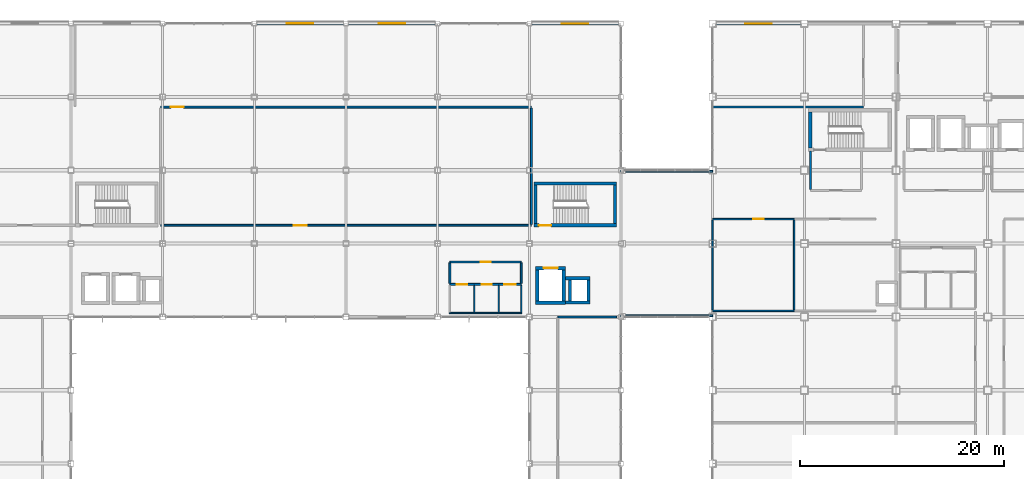
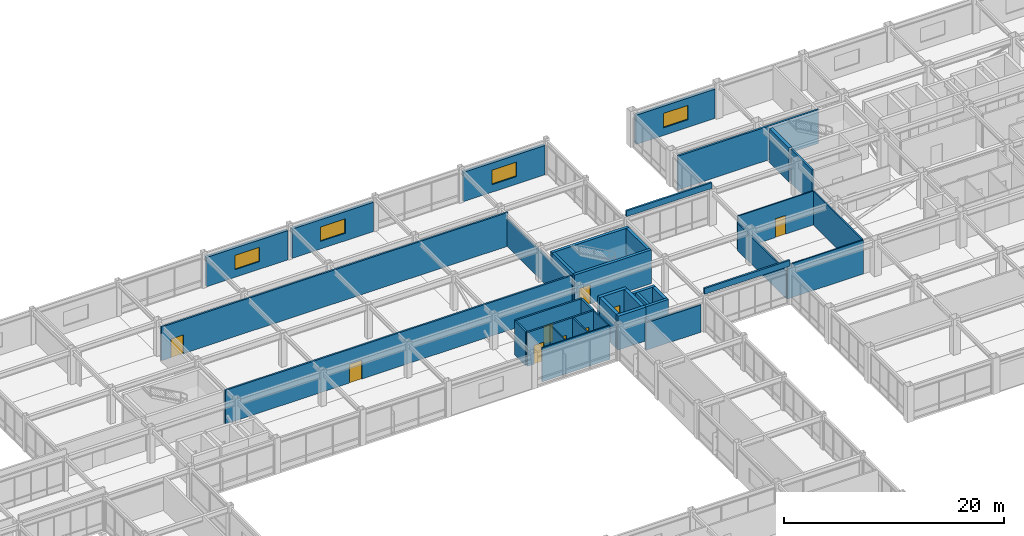
# One storey, part 103 of 122: 37 walls, 9 doors, 4 windows, 13 openings.
"""IFC4 building model written with IfcOpenShell, lengths in metres."""

import ifcopenshell
import ifcopenshell.guid

model = None  # the IFC model being written
_history = None  # IfcOwnerHistory: only IFC2X3 demands one
_inside = {}  # id of a spatial element -> (the spatial element, [elements in it])
_under = {}  # id of a project, library or spatial element -> (it, [spatial elements below it])
_declared = {}  # id of a project -> (the project, [libraries it declares])
_typed = {}  # id of a type object -> (the type object, [elements of that type])
_made_of = {}  # id of a material, layer set ... -> (it, [elements and type objects made of it])


def new_model(schema):
    """Start an empty IFC model of exactly this schema.

    Asked for "IFC4X3", IfcOpenShell would pick the latest addendum, in which some entities
    have other attributes; the version numbers below select the first issue.
    IFC2X3 requires an IfcOwnerHistory on every rooted entity: one is made here for all.
    """
    global model, _history
    if schema == "IFC4X3":
        model = ifcopenshell.file(schema_version=(4, 3, 0, 0))
    else:
        model = ifcopenshell.file(schema=schema)
    _inside.clear()
    _under.clear()
    _declared.clear()
    _typed.clear()
    _made_of.clear()
    _history = None
    if model.schema == "IFC2X3":
        org = make("IfcOrganization", Name="unknown")
        user = make(
            "IfcPersonAndOrganization",
            ThePerson=make("IfcPerson", FamilyName="unknown"),
            TheOrganization=org,
        )
        app = make(
            "IfcApplication",
            ApplicationDeveloper=org,
            Version="unknown",
            ApplicationFullName="unknown",
            ApplicationIdentifier="unknown",
        )
        _history = make(
            "IfcOwnerHistory",
            OwningUser=user,
            OwningApplication=app,
            ChangeAction="ADDED",
            CreationDate=0,
        )
    return model


def make(cls, **values):
    """One entity of the class cls with the attributes given. An attribute that is None is left unset."""
    return model.create_entity(
        cls, **{name: value for name, value in values.items() if value is not None}
    )


def rooted(cls, **values):
    """An entity with a GlobalId (a new one), such as an element, a storey or a relation."""
    return make(cls, GlobalId=ifcopenshell.guid.new(), OwnerHistory=_history, **values)


def si_unit(unit_type, name, prefix=None):
    """IfcSIUnit, for example si_unit("LENGTHUNIT", "METRE", prefix="MILLI")."""
    return make("IfcSIUnit", UnitType=unit_type, Prefix=prefix, Name=name)


def assignment(units):
    """IfcUnitAssignment: the units of a project."""
    return None if units is None else make("IfcUnitAssignment", Units=units)


def point(xyz):
    """IfcCartesianPoint."""
    return None if xyz is None else make("IfcCartesianPoint", Coordinates=xyz)


def direction(xyz):
    """IfcDirection."""
    return None if xyz is None else make("IfcDirection", DirectionRatios=xyz)


def frame(location, z_axis=None, x_axis=None):
    """IfcAxis2Placement3D, a coordinate frame: its origin and axes. An axis left out is left unset."""
    return make(
        "IfcAxis2Placement3D",
        Location=point(location),
        Axis=direction(z_axis),
        RefDirection=direction(x_axis),
    )


def frame_2d(location, x_axis=None):
    """IfcAxis2Placement2D, a coordinate frame in the plane: its origin and x axis."""
    return make(
        "IfcAxis2Placement2D", Location=point(location), RefDirection=direction(x_axis)
    )


def origin():
    """The frame at (0, 0, 0) with its axes left unset."""
    return frame((0.0, 0.0, 0.0))


def place(relative_to, where):
    """IfcLocalPlacement: puts the frame where relative to a parent placement (None: the world)."""
    return make(
        "IfcLocalPlacement", PlacementRelTo=relative_to, RelativePlacement=where
    )


def context(
    kind, dimensions, precision=None, world=None, true_north=None, identifier=None
):
    """IfcGeometricRepresentationContext, for example the 3D "Model" context."""
    return make(
        "IfcGeometricRepresentationContext",
        ContextIdentifier=identifier,
        ContextType=kind,
        CoordinateSpaceDimension=dimensions,
        Precision=precision,
        WorldCoordinateSystem=world,
        TrueNorth=true_north,
    )


def subcontext(parent, identifier, kind, view, scale=None):
    """IfcGeometricRepresentationSubContext, for example "Body" below "Model"."""
    return make(
        "IfcGeometricRepresentationSubContext",
        ContextIdentifier=identifier,
        ContextType=kind,
        ParentContext=parent,
        TargetScale=scale,
        TargetView=view,
    )


def project(units=None, contexts=None):
    """IfcProject with its units and contexts."""
    return rooted(
        "IfcProject",
        Name="project",
        RepresentationContexts=contexts,
        UnitsInContext=assignment(units),
    )


def spatial(cls, under=None, at=None, **own):
    """A site, building, storey or space (cls), placed at a placement, below another one or the project."""
    s = rooted(cls, ObjectPlacement=at, **own)
    if under is not None:
        _under.setdefault(under.id(), (under, []))[1].append(s)
    return s


def profile(cls, at=None, kind="AREA", **sizes):
    """A parametric profile (cls). Its sizes go by their IFC names, for example OverallWidth=200.0."""
    return make(cls, ProfileType=kind, Position=at, **sizes)


def rectangle(**sizes):
    """IfcRectangleProfileDef."""
    return profile("IfcRectangleProfileDef", **sizes)


def extrude(swept, where, along, depth):
    """IfcExtrudedAreaSolid: the profile swept, set in the frame where, extruded along a direction by depth."""
    return make(
        "IfcExtrudedAreaSolid",
        SweptArea=swept,
        Position=where,
        ExtrudedDirection=direction(along),
        Depth=depth,
    )


def shape(context_of_items, identifier, shape_type, items):
    """IfcShapeRepresentation: the items that make up one representation, for example the "Body"."""
    return make(
        "IfcShapeRepresentation",
        ContextOfItems=context_of_items,
        RepresentationIdentifier=identifier,
        RepresentationType=shape_type,
        Items=items,
    )


def material(Name=None, Category=None):
    """IfcMaterial."""
    return make("IfcMaterial", Name=Name, Category=Category)


def layer(
    of_material, thickness, ventilated=None, Name=None, Category=None, Priority=None
):
    """IfcMaterialLayer: one layer of a wall or slab, of a material (None: an air gap)."""
    return make(
        "IfcMaterialLayer",
        Material=of_material,
        LayerThickness=thickness,
        IsVentilated=ventilated,
        Name=Name,
        Category=Category,
        Priority=Priority,
    )


def layer_set(layers, Name=None):
    """IfcMaterialLayerSet."""
    return make("IfcMaterialLayerSet", MaterialLayers=layers, LayerSetName=Name)


def made_of(thing, what):
    """Note that an element or type object is made of a material, layer set ...; save() writes the relation."""
    if what is not None:
        _made_of.setdefault(what.id(), (what, []))[1].append(thing)
    return thing


def type_object(cls, material=None, **own):
    """A type object (cls), such as IfcWallType, which elements share."""
    return made_of(rooted(cls, **own), material)


def element(
    cls,
    number,
    at=None,
    inside=None,
    cuts=None,
    type_object=None,
    material=None,
    context=None,
    identifier="Body",
    shape_type=None,
    held_by="IfcProductDefinitionShape",
    body=None,
    shapes=None,
    **own,
):
    """One element of the class cls, such as IfcWall. Its Tag is "e" and its number.

    at: its placement. inside: the storey or other place that contains it. cuts: it is an
    opening in that element (IfcRelVoidsElement). A single representation is given by context,
    identifier, shape_type and body (its items); several are given by shapes. held_by: the class
    of the entity that holds the representations. save() writes the other relations.
    """
    e = rooted(cls, Tag="e%d" % number, ObjectPlacement=at, **own)
    if body is not None:
        shapes = [shape(context, identifier, shape_type, body)]
    if shapes is not None:
        e.Representation = make(held_by, Representations=shapes)
    if inside is not None:
        _inside.setdefault(inside.id(), (inside, []))[1].append(e)
    if cuts is not None:
        rooted(
            "IfcRelVoidsElement", RelatingBuildingElement=cuts, RelatedOpeningElement=e
        )
    if type_object is not None:
        _typed.setdefault(type_object.id(), (type_object, []))[1].append(e)
    return made_of(e, material)


def fill(opening, filler):
    """IfcRelFillsElement: the door or window that sits in an opening."""
    return rooted(
        "IfcRelFillsElement",
        RelatingOpeningElement=opening,
        RelatedBuildingElement=filler,
    )


def aggregate(whole, parts):
    """IfcRelAggregates: a whole, such as a stair, and the parts it consists of."""
    return rooted("IfcRelAggregates", RelatingObject=whole, RelatedObjects=parts)


def save(model, path):
    """Write the relations noted so far, then the file.

    IfcRelAggregates (storeys below a building ...), IfcRelContainedInSpatialStructure (elements
    in a storey), IfcRelDefinesByType, IfcRelAssociatesMaterial and IfcRelDeclares: one each for
    every whole, place, type object, material and project.
    """
    for whole, parts in _under.values():
        aggregate(whole, parts)
    for where, things in _inside.values():
        rooted(
            "IfcRelContainedInSpatialStructure",
            RelatedElements=things,
            RelatingStructure=where,
        )
    for kind, things in _typed.values():
        rooted("IfcRelDefinesByType", RelatedObjects=things, RelatingType=kind)
    for what, things in _made_of.values():
        rooted("IfcRelAssociatesMaterial", RelatedObjects=things, RelatingMaterial=what)
    for by, libraries in _declared.values():
        rooted("IfcRelDeclares", RelatingContext=by, RelatedDefinitions=libraries)
    model.write(path)


model = new_model("IFC4")

# Units and contexts
model_context = context("Model", 3, precision=1e-05, world=origin(), true_north=direction((0.0, 1.0)))
body_context = subcontext(model_context, "Body", "Model", "MODEL_VIEW")
ifc_project = project(units=[si_unit("LENGTHUNIT", "METRE"), si_unit("AREAUNIT", "SQUARE_METRE"), si_unit("VOLUMEUNIT", "CUBIC_METRE"), si_unit("PLANEANGLEUNIT", "RADIAN"), si_unit("MASSUNIT", "GRAM", prefix="KILO")], contexts=[model_context])

# Site, building, storey
site_placement = place(None, origin())
site = spatial("IfcSite", under=ifc_project, at=site_placement, CompositionType="ELEMENT")
building_placement = place(site_placement, origin())
building = spatial("IfcBuilding", under=site, at=building_placement, Name="Kazanami Central Library", CompositionType="ELEMENT")
storey_placement = place(building_placement, frame((0.0, 0.0, 4.800048828125)))
storey = spatial("IfcBuildingStorey", under=building, at=storey_placement, Name="L02", CompositionType="ELEMENT", Elevation=4.800048828125)

# Wall, opening, window
ifc_material_1 = material(Name="Concrete Fc36 (36 MPa)", Category="concrete")
ifc_layer_1 = layer(ifc_material_1, 0.239990234375, Name="Concrete Fc36 (36 MPa)")
ifc_material_2 = material(Name="Extruded Polystyrene XPS", Category="earth")
ifc_layer_2 = layer(ifc_material_2, 0.050048828125, Name="Extruded Polystyrene XPS")
ifc_material_3 = material(Name="Honed Inada Granite", Category="masonry")
ifc_layer_3 = layer(ifc_material_3, 0.030029296875, Name="Honed Inada Granite")
ifc_layer_set_1 = layer_set([ifc_layer_1, ifc_layer_2, ifc_layer_3], Name="Concrete Fc36 (36 MPa)")
wall_type_1 = type_object("IfcWallType", Name="WAL-EW-320", PredefinedType="STANDARD", material=ifc_layer_set_1)
wall_1_placement = place(storey_placement, frame((80.77490234375, 93.60009765625, 0.0), z_axis=(0.0, 0.0, 1.0), x_axis=(-1.0, 0.0, 0.0)))
wall_1 = element("IfcWall", 1, at=wall_1_placement, inside=storey, type_object=wall_type_1, Name="Exterior Facade Wall EW-320 L02 N-O-08", PredefinedType="STANDARD", context=body_context, shape_type="SweptSolid", body=[
    extrude(rectangle(XDim=8.5498046875, YDim=0.320068359375, at=frame_2d((4.27490234375, 0.0))), origin(), (0.0, 0.0, 1.0), 3.2548828125),
])
opening_1_placement = place(wall_1_placement, frame((2.97509765625, 0.0, 0.85009765625)))
opening_1 = element("IfcOpeningElement", 2, at=opening_1_placement, cuts=wall_1, Name="Opening WN-13", PredefinedType="OPENING", context=body_context, shape_type="SweptSolid", body=[
    extrude(rectangle(XDim=2.60009765625, YDim=1.60009765625, at=frame_2d((1.300048828125, 0.800048828125))), frame((0.0, 0.171875, 0.0), z_axis=(0.0, -1.0, 0.0), x_axis=(1.0, 0.0, 0.0)), (0.0, 0.0, 1.0), 0.343994140625),
])
ifc_material_4 = material(Name="Low-E Insulated Triple Glass", Category="glass")
window_type = type_object("IfcWindowType", Name="WIN-WN-13", PartitioningType="DOUBLE_PANEL_VERTICAL", PredefinedType="WINDOW", material=ifc_material_4)
window_1_placement = place(opening_1_placement, origin())
window_1 = element("IfcWindow", 3, at=window_1_placement, inside=storey, type_object=window_type, Name="Facade Window WN-13 L02 N-O-08", OverallHeight=1.60009765625, OverallWidth=2.60009765625, PartitioningType="DOUBLE_PANEL_VERTICAL", PredefinedType="WINDOW", context=body_context, shape_type="SweptSolid", body=[
    extrude(rectangle(XDim=2.60009765625, YDim=1.60009765625, at=frame_2d((1.300048828125, 0.800048828125))), frame((0.0, 0.030029296875, 0.0), z_axis=(0.0, -1.0, 0.0), x_axis=(1.0, 0.0, 0.0)), (0.0, 0.0, 1.0), 0.06005859375),
])
fill(opening_1, window_1)

wall_2_placement = place(storey_placement, frame((89.77490234375, 93.60009765625, 0.0), z_axis=(0.0, 0.0, 1.0), x_axis=(-1.0, 0.0, 0.0)))
wall_2 = element("IfcWall", 4, at=wall_2_placement, inside=storey, type_object=wall_type_1, Name="Exterior Facade Wall EW-320 L02 N-O-09", PredefinedType="STANDARD", context=body_context, shape_type="SweptSolid", body=[
    extrude(rectangle(XDim=8.5498046875, YDim=0.320068359375, at=frame_2d((4.27490234375, 0.0))), origin(), (0.0, 0.0, 1.0), 3.2548828125),
])
opening_2_placement = place(wall_2_placement, frame((2.97509765625, 0.0, 0.85009765625)))
opening_2 = element("IfcOpeningElement", 5, at=opening_2_placement, cuts=wall_2, Name="Opening WN-13", PredefinedType="OPENING", context=body_context, shape_type="SweptSolid", body=[
    extrude(rectangle(XDim=2.60009765625, YDim=1.60009765625, at=frame_2d((1.300048828125, 0.800048828125))), frame((0.0, 0.171875, 0.0), z_axis=(0.0, -1.0, 0.0), x_axis=(1.0, 0.0, 0.0)), (0.0, 0.0, 1.0), 0.343994140625),
])
window_2_placement = place(opening_2_placement, origin())
window_2 = element("IfcWindow", 6, at=window_2_placement, inside=storey, type_object=window_type, Name="Facade Window WN-13 L02 N-O-09", OverallHeight=1.60009765625, OverallWidth=2.60009765625, PartitioningType="DOUBLE_PANEL_VERTICAL", PredefinedType="WINDOW", context=body_context, shape_type="SweptSolid", body=[
    extrude(rectangle(XDim=2.60009765625, YDim=1.60009765625, at=frame_2d((1.300048828125, 0.800048828125))), frame((0.0, 0.030029296875, 0.0), z_axis=(0.0, -1.0, 0.0), x_axis=(1.0, 0.0, 0.0)), (0.0, 0.0, 1.0), 0.06005859375),
])
fill(opening_2, window_2)

wall_3_placement = place(storey_placement, frame((107.77490234375, 93.60009765625, 0.0), z_axis=(0.0, 0.0, 1.0), x_axis=(-1.0, 0.0, 0.0)))
wall_3 = element("IfcWall", 7, at=wall_3_placement, inside=storey, type_object=wall_type_1, Name="Exterior Facade Wall EW-320 L02 N-O-11", PredefinedType="STANDARD", context=body_context, shape_type="SweptSolid", body=[
    extrude(rectangle(XDim=8.5498046875, YDim=0.320068359375, at=frame_2d((4.27490234375, 0.0))), origin(), (0.0, 0.0, 1.0), 3.2548828125),
])
opening_3_placement = place(wall_3_placement, frame((2.97509765625, 0.0, 0.85009765625)))
opening_3 = element("IfcOpeningElement", 8, at=opening_3_placement, cuts=wall_3, Name="Opening WN-13", PredefinedType="OPENING", context=body_context, shape_type="SweptSolid", body=[
    extrude(rectangle(XDim=2.60009765625, YDim=1.60009765625, at=frame_2d((1.300048828125, 0.800048828125))), frame((0.0, 0.171875, 0.0), z_axis=(0.0, -1.0, 0.0), x_axis=(1.0, 0.0, 0.0)), (0.0, 0.0, 1.0), 0.343994140625),
])
window_3_placement = place(opening_3_placement, origin())
window_3 = element("IfcWindow", 9, at=window_3_placement, inside=storey, type_object=window_type, Name="Facade Window WN-13 L02 N-O-11", OverallHeight=1.60009765625, OverallWidth=2.60009765625, PartitioningType="DOUBLE_PANEL_VERTICAL", PredefinedType="WINDOW", context=body_context, shape_type="SweptSolid", body=[
    extrude(rectangle(XDim=2.60009765625, YDim=1.60009765625, at=frame_2d((1.300048828125, 0.800048828125))), frame((0.0, 0.030029296875, 0.0), z_axis=(0.0, -1.0, 0.0), x_axis=(1.0, 0.0, 0.0)), (0.0, 0.0, 1.0), 0.06005859375),
])
fill(opening_3, window_3)

wall_4_placement = place(storey_placement, frame((125.64990234375, 93.60009765625, 0.0), z_axis=(0.0, 0.0, 1.0), x_axis=(-1.0, 0.0, 0.0)))
wall_4 = element("IfcWall", 10, at=wall_4_placement, inside=storey, type_object=wall_type_1, Name="Exterior Facade Wall EW-320 L02 N-O-13", PredefinedType="STANDARD", context=body_context, shape_type="SweptSolid", body=[
    extrude(rectangle(XDim=8.2998046875, YDim=0.320068359375, at=frame_2d((4.14990234375, 0.0))), origin(), (0.0, 0.0, 1.0), 3.2548828125),
])
opening_4_placement = place(wall_4_placement, frame((2.85009765625, 0.0, 0.85009765625)))
opening_4 = element("IfcOpeningElement", 11, at=opening_4_placement, cuts=wall_4, Name="Opening WN-13", PredefinedType="OPENING", context=body_context, shape_type="SweptSolid", body=[
    extrude(rectangle(XDim=2.60009765625, YDim=1.60009765625, at=frame_2d((1.300048828125, 0.800048828125))), frame((0.0, 0.171875, 0.0), z_axis=(0.0, -1.0, 0.0), x_axis=(1.0, 0.0, 0.0)), (0.0, 0.0, 1.0), 0.343994140625),
])
window_4_placement = place(opening_4_placement, origin())
window_4 = element("IfcWindow", 12, at=window_4_placement, inside=storey, type_object=window_type, Name="Facade Window WN-13 L02 N-O-13", OverallHeight=1.60009765625, OverallWidth=2.60009765625, PartitioningType="DOUBLE_PANEL_VERTICAL", PredefinedType="WINDOW", context=body_context, shape_type="SweptSolid", body=[
    extrude(rectangle(XDim=2.60009765625, YDim=1.60009765625, at=frame_2d((1.300048828125, 0.800048828125))), frame((0.0, 0.030029296875, 0.0), z_axis=(0.0, -1.0, 0.0), x_axis=(1.0, 0.0, 0.0)), (0.0, 0.0, 1.0), 0.06005859375),
])
fill(opening_4, window_4)

# Wall
ifc_material_5 = material(Name="Fire-Resistant Gypsum Board GB-F", Category="gypsum")
ifc_layer_4 = layer(ifc_material_5, 0.1650390625, Name="Fire-Resistant Gypsum Board GB-F")
ifc_layer_set_2 = layer_set([ifc_layer_4], Name="Fire-Resistant Gypsum Board GB-F")
wall_type_2 = type_object("IfcWallType", Name="WAL-FW-165", PredefinedType="PARTITIONING", material=ifc_layer_set_2)
wall_5_placement = place(storey_placement, frame((101.800048828125, 64.800048828125, 0.0), z_axis=(0.0, 0.0, 1.0), x_axis=(1.0, 0.0, 0.0)))
element("IfcWall", 13, at=wall_5_placement, inside=storey, type_object=wall_type_2, Name="Interior Partition FW-165 L02 RM-32 (North)", PredefinedType="PARTITIONING", context=body_context, shape_type="SweptSolid", body=[
    extrude(rectangle(XDim=5.780029296875, YDim=0.1650390625, at=frame_2d((2.89013671875, 0.0))), origin(), (0.0, 0.0, 1.0), 3.034912109375),
])

# Wall, openings, doors
ifc_layer_5 = layer(ifc_material_5, 0.179931640625, Name="Fire-Resistant Gypsum Board GB-F")
ifc_layer_set_3 = layer_set([ifc_layer_5], Name="Fire-Resistant Gypsum Board GB-F")
wall_type_3 = type_object("IfcWallType", Name="WAL-FW-180", PredefinedType="PARTITIONING", material=ifc_layer_set_3)
wall_6_placement = place(storey_placement, frame((91.199951171875, 68.0, 0.0), z_axis=(0.0, 0.0, 1.0), x_axis=(1.0, 0.0, 0.0)))
wall_6 = element("IfcWall", 14, at=wall_6_placement, inside=storey, type_object=wall_type_3, Name="Interior Partition FW-180 L02 WC-V1-LOB (South)", PredefinedType="PARTITIONING", context=body_context, shape_type="SweptSolid", body=[
    extrude(rectangle(XDim=7.0, YDim=0.179931640625, at=frame_2d((3.5, 0.0))), origin(), (0.0, 0.0, 1.0), 3.7548828125),
])
opening_5_placement = place(wall_6_placement, frame((0.675048828125, 0.0, 0.0)))
opening_5 = element("IfcOpeningElement", 15, at=opening_5_placement, cuts=wall_6, Name="Opening FD30-1", PredefinedType="OPENING", context=body_context, shape_type="SweptSolid", body=[
    extrude(rectangle(XDim=1.050048828125, YDim=2.10009765625, at=frame_2d((0.52490234375, 1.050048828125))), frame((0.0, 0.10205078125, 0.0), z_axis=(0.0, -1.0, 0.0), x_axis=(1.0, 0.0, 0.0)), (0.0, 0.0, 1.0), 0.203857421875),
])
opening_6_placement = place(wall_6_placement, frame((3.110107421875, 0.0, 0.0)))
opening_6 = element("IfcOpeningElement", 16, at=opening_6_placement, cuts=wall_6, Name="Opening FD30-3", PredefinedType="OPENING", context=body_context, shape_type="SweptSolid", body=[
    extrude(rectangle(XDim=0.97998046875, YDim=2.02001953125, at=frame_2d((0.489990234375, 1.010009765625))), frame((0.0, 0.10205078125, 0.0), z_axis=(0.0, -1.0, 0.0), x_axis=(1.0, 0.0, 0.0)), (0.0, 0.0, 1.0), 0.203857421875),
])
opening_7_placement = place(wall_6_placement, frame((5.340087890625, 0.0, 0.0)))
opening_7 = element("IfcOpeningElement", 17, at=opening_7_placement, cuts=wall_6, Name="Opening FD30-8", PredefinedType="OPENING", context=body_context, shape_type="SweptSolid", body=[
    extrude(rectangle(XDim=1.1201171875, YDim=2.080078125, at=frame_2d((0.56005859375, 1.0400390625))), frame((0.0, 0.10205078125, 0.0), z_axis=(0.0, -1.0, 0.0), x_axis=(1.0, 0.0, 0.0)), (0.0, 0.0, 1.0), 0.203857421875),
])
ifc_material_6 = material(Name="Cold-Rolled Steel SPCC", Category="steel")
door_type_1 = type_object("IfcDoorType", Name="DOR-FD30-1", OperationType="NOTDEFINED", PredefinedType="DOOR", material=ifc_material_6)
door_1_placement = place(opening_5_placement, origin())
door_1 = element("IfcDoor", 18, at=door_1_placement, inside=storey, type_object=door_type_1, Name="Interior Door FD30-1 L02 WC-V1-M", OperationType="SINGLE_SWING_LEFT", OverallHeight=2.10009765625, OverallWidth=1.050048828125, PredefinedType="DOOR", context=body_context, shape_type="SweptSolid", body=[
    extrude(rectangle(XDim=1.050048828125, YDim=2.10009765625, at=frame_2d((0.52490234375, 1.050048828125))), frame((0.0, 0.02490234375, 0.0), z_axis=(0.0, -1.0, 0.0), x_axis=(1.0, 0.0, 0.0)), (0.0, 0.0, 1.0), 0.050048828125),
])
fill(opening_5, door_1)
door_type_2 = type_object("IfcDoorType", Name="DOR-FD30-3", OperationType="NOTDEFINED", PredefinedType="DOOR", material=ifc_material_6)
door_2_placement = place(opening_6_placement, origin())
door_2 = element("IfcDoor", 19, at=door_2_placement, inside=storey, type_object=door_type_2, Name="Interior Door FD30-3 L02 WC-V1-F", OperationType="SINGLE_SWING_RIGHT", OverallHeight=2.02001953125, OverallWidth=0.97998046875, PredefinedType="DOOR", context=body_context, shape_type="SweptSolid", body=[
    extrude(rectangle(XDim=0.97998046875, YDim=2.02001953125, at=frame_2d((0.489990234375, 1.010009765625))), frame((0.0, 0.02490234375, 0.0), z_axis=(0.0, -1.0, 0.0), x_axis=(1.0, 0.0, 0.0)), (0.0, 0.0, 1.0), 0.050048828125),
])
fill(opening_6, door_2)
door_type_3 = type_object("IfcDoorType", Name="DOR-FD30-8", OperationType="NOTDEFINED", PredefinedType="DOOR", material=ifc_material_6)
door_3_placement = place(opening_7_placement, origin())
door_3 = element("IfcDoor", 20, at=door_3_placement, inside=storey, type_object=door_type_3, Name="Interior Door FD30-8 L02 WC-V1-ACC", OperationType="SINGLE_SWING_LEFT", OverallHeight=2.080078125, OverallWidth=1.1201171875, PredefinedType="DOOR", context=body_context, shape_type="SweptSolid", body=[
    extrude(rectangle(XDim=1.1201171875, YDim=2.080078125, at=frame_2d((0.56005859375, 1.0400390625))), frame((0.0, 0.02490234375, 0.0), z_axis=(0.0, -1.0, 0.0), x_axis=(1.0, 0.0, 0.0)), (0.0, 0.0, 1.0), 0.050048828125),
])
fill(opening_7, door_3)

# Wall, opening, door
wall_7_placement = place(storey_placement, frame((91.199951171875, 70.199951171875, 0.0), z_axis=(0.0, 0.0, 1.0), x_axis=(1.0, 0.0, 0.0)))
wall_7 = element("IfcWall", 21, at=wall_7_placement, inside=storey, type_object=wall_type_3, Name="Interior Partition FW-180 L02 WC-V1-LOB (North)", PredefinedType="PARTITIONING", context=body_context, shape_type="SweptSolid", body=[
    extrude(rectangle(XDim=7.0, YDim=0.179931640625, at=frame_2d((3.5, 0.0))), origin(), (0.0, 0.0, 1.0), 3.7548828125),
])
opening_8_placement = place(wall_7_placement, frame((3.010009765625, 0.0, 0.0)))
opening_8 = element("IfcOpeningElement", 22, at=opening_8_placement, cuts=wall_7, Name="Opening FD30-3", PredefinedType="OPENING", context=body_context, shape_type="SweptSolid", body=[
    extrude(rectangle(XDim=0.97998046875, YDim=2.02001953125, at=frame_2d((0.489990234375, 1.010009765625))), frame((0.0, 0.10205078125, 0.0), z_axis=(0.0, -1.0, 0.0), x_axis=(1.0, 0.0, 0.0)), (0.0, 0.0, 1.0), 0.203857421875),
])
door_4_placement = place(opening_8_placement, origin())
door_4 = element("IfcDoor", 23, at=door_4_placement, inside=storey, type_object=door_type_2, Name="Interior Door FD30-3 L02 WC-V1-LOB", OperationType="SINGLE_SWING_RIGHT", OverallHeight=2.02001953125, OverallWidth=0.97998046875, PredefinedType="DOOR", context=body_context, shape_type="SweptSolid", body=[
    extrude(rectangle(XDim=0.97998046875, YDim=2.02001953125, at=frame_2d((0.489990234375, 1.010009765625))), frame((0.0, 0.02490234375, 0.0), z_axis=(0.0, -1.0, 0.0), x_axis=(1.0, 0.0, 0.0)), (0.0, 0.0, 1.0), 0.050048828125),
])
fill(opening_8, door_4)

# Walls
for number, where, z_axis, x_axis, name in (
    (24, (91.199951171875, 68.090087890625, 0.0), (0.0, 0.0, 1.0), (0.0, 1.0, 0.0), "Interior Partition FW-180 L02 WC-V1-LOB (West)"),
    (25, (98.199951171875, 68.090087890625, 0.0), (0.0, 0.0, 1.0), (0.0, 1.0, 0.0), "Interior Partition FW-180 L02 WC-V1-LOB (East)"),
):
    element("IfcWall", number, at=place(storey_placement, frame(where, z_axis=z_axis, x_axis=x_axis)), inside=storey, type_object=wall_type_3, Name=name, PredefinedType="PARTITIONING", context=body_context, shape_type="SweptSolid", body=[
        extrude(rectangle(XDim=2.02001953125, YDim=0.179931640625, at=frame_2d((1.010009765625, 0.0))), origin(), (0.0, 0.0, 1.0), 3.7548828125),
    ])

# Wall, opening, door
wall_8_placement = place(storey_placement, frame((62.800048828125, 73.800048828125, 0.0), z_axis=(0.0, 0.0, 1.0), x_axis=(1.0, 0.0, 0.0)))
wall_8 = element("IfcWall", 26, at=wall_8_placement, inside=storey, type_object=wall_type_3, Name="Interior Partition FW-180 L02 RM-33 (South)", PredefinedType="PARTITIONING", context=body_context, shape_type="SweptSolid", body=[
    extrude(rectangle(XDim=36.39990234375, YDim=0.179931640625, at=frame_2d((18.199951171875, 0.0))), origin(), (0.0, 0.0, 1.0), 3.7548828125),
])
opening_9_placement = place(wall_8_placement, frame((13.050048828125, 0.0, 0.0)))
opening_9 = element("IfcOpeningElement", 27, at=opening_9_placement, cuts=wall_8, Name="Opening FD30-7", PredefinedType="OPENING", context=body_context, shape_type="SweptSolid", body=[
    extrude(rectangle(XDim=1.300048828125, YDim=2.080078125, at=frame_2d((0.64990234375, 1.0400390625))), frame((0.0, 0.10205078125, 0.0), z_axis=(0.0, -1.0, 0.0), x_axis=(1.0, 0.0, 0.0)), (0.0, 0.0, 1.0), 0.203857421875),
])
door_type_4 = type_object("IfcDoorType", Name="DOR-FD30-7", OperationType="DOUBLE_DOOR_SINGLE_SWING", PredefinedType="DOOR", material=ifc_material_6)
door_5_placement = place(opening_9_placement, origin())
door_5 = element("IfcDoor", 28, at=door_5_placement, inside=storey, type_object=door_type_4, Name="Interior Door FD30-7 L02 RM-33", OperationType="DOUBLE_DOOR_SINGLE_SWING", OverallHeight=2.080078125, OverallWidth=1.300048828125, PredefinedType="DOOR", context=body_context, shape_type="SweptSolid", body=[
    extrude(rectangle(XDim=1.300048828125, YDim=2.080078125, at=frame_2d((0.64990234375, 1.0400390625))), frame((0.0, 0.02490234375, 0.0), z_axis=(0.0, -1.0, 0.0), x_axis=(1.0, 0.0, 0.0)), (0.0, 0.0, 1.0), 0.050048828125),
])
fill(opening_9, door_5)

wall_9_placement = place(storey_placement, frame((62.800048828125, 85.39990234375, 0.0), z_axis=(0.0, 0.0, 1.0), x_axis=(1.0, 0.0, 0.0)))
wall_9 = element("IfcWall", 29, at=wall_9_placement, inside=storey, type_object=wall_type_3, Name="Interior Partition FW-180 L02 RM-33 (North)", PredefinedType="PARTITIONING", context=body_context, shape_type="SweptSolid", body=[
    extrude(rectangle(XDim=36.39990234375, YDim=0.179931640625, at=frame_2d((18.199951171875, 0.0))), origin(), (0.0, 0.0, 1.0), 3.7548828125),
])
opening_10_placement = place(wall_9_placement, frame((1.0, 0.0, 0.0)))
opening_10 = element("IfcOpeningElement", 30, at=opening_10_placement, cuts=wall_9, Name="Opening FD30-7", PredefinedType="OPENING", context=body_context, shape_type="SweptSolid", body=[
    extrude(rectangle(XDim=1.300048828125, YDim=2.080078125, at=frame_2d((0.64990234375, 1.0400390625))), frame((0.0, 0.10205078125, 0.0), z_axis=(0.0, -1.0, 0.0), x_axis=(1.0, 0.0, 0.0)), (0.0, 0.0, 1.0), 0.203857421875),
])
door_6_placement = place(opening_10_placement, origin())
door_6 = element("IfcDoor", 31, at=door_6_placement, inside=storey, type_object=door_type_4, Name="Interior Door FD30-7 L02 RM-36", OperationType="DOUBLE_DOOR_SINGLE_SWING", OverallHeight=2.080078125, OverallWidth=1.300048828125, PredefinedType="DOOR", context=body_context, shape_type="SweptSolid", body=[
    extrude(rectangle(XDim=1.300048828125, YDim=2.080078125, at=frame_2d((0.64990234375, 1.0400390625))), frame((0.0, 0.02490234375, 0.0), z_axis=(0.0, -1.0, 0.0), x_axis=(1.0, 0.0, 0.0)), (0.0, 0.0, 1.0), 0.050048828125),
])
fill(opening_10, door_6)

# Walls
wall_10_placement = place(storey_placement, frame((99.199951171875, 73.889892578125, 0.0), z_axis=(0.0, 0.0, 1.0), x_axis=(0.0, 1.0, 0.0)))
element("IfcWall", 32, at=wall_10_placement, inside=storey, type_object=wall_type_3, Name="Interior Partition FW-180 L02 RM-33 (East)", PredefinedType="PARTITIONING", context=body_context, shape_type="SweptSolid", body=[
    extrude(rectangle(XDim=11.420166015625, YDim=0.179931640625, at=frame_2d((5.7099609375, 0.0))), origin(), (0.0, 0.0, 1.0), 3.034912109375),
])
ifc_layer_6 = layer(ifc_material_5, 0.199951171875, Name="Fire-Resistant Gypsum Board GB-F")
ifc_layer_set_4 = layer_set([ifc_layer_6], Name="Fire-Resistant Gypsum Board GB-F")
wall_type_4 = type_object("IfcWallType", Name="WAL-FW-200", PredefinedType="PARTITIONING", material=ifc_layer_set_4)
wall_11_placement = place(storey_placement, frame((126.60009765625, 77.2900390625, 0.0), z_axis=(0.0, 0.0, 1.0), x_axis=(0.0, 1.0, 0.0)))
element("IfcWall", 33, at=wall_11_placement, inside=storey, type_object=wall_type_4, Name="Interior Partition FW-200 L02 VEST-ST-01 (West)", PredefinedType="PARTITIONING", context=body_context, shape_type="SweptSolid", body=[
    extrude(rectangle(XDim=3.820068359375, YDim=0.199951171875, at=frame_2d((1.91015625, 0.0))), origin(), (0.0, 0.0, 1.0), 3.7548828125),
])
wall_12_placement = place(storey_placement, frame((117.034912109375, 85.39990234375, 0.0), z_axis=(0.0, 0.0, 1.0), x_axis=(1.0, 0.0, 0.0)))
element("IfcWall", 34, at=wall_12_placement, inside=storey, type_object=wall_type_4, Name="Interior Partition FW-200 L02 RM-46 (South)", PredefinedType="PARTITIONING", context=body_context, shape_type="SweptSolid", body=[
    extrude(rectangle(XDim=14.76513671875, YDim=0.199951171875, at=frame_2d((7.382568359375, 0.0))), origin(), (0.0, 0.0, 1.0), 3.7548828125),
])
ifc_material_7 = material(Name="Gypsum Plasterboard GB-R", Category="gypsum")
ifc_layer_7 = layer(ifc_material_7, 0.125, Name="Gypsum Plasterboard GB-R")
ifc_layer_set_5 = layer_set([ifc_layer_7], Name="Gypsum Plasterboard GB-R")
wall_type_5 = type_object("IfcWallType", Name="WAL-PW-125", PredefinedType="PARTITIONING", material=ifc_layer_set_5)
wall_13_placement = place(storey_placement, frame((91.137451171875, 65.1923828125, 0.0), z_axis=(0.0, 0.0, 1.0), x_axis=(1.0, 0.0, 0.0)))
element("IfcWall", 35, at=wall_13_placement, inside=storey, type_object=wall_type_5, Name="Interior Partition PW-125 L02 WC-V1 (South)", PredefinedType="PARTITIONING", context=body_context, shape_type="SweptSolid", body=[
    extrude(rectangle(XDim=7.125, YDim=0.125, at=frame_2d((3.5625, 0.0))), origin(), (0.0, 0.0, 1.0), 3.7548828125),
])
for number, where, z_axis, x_axis, name in (
    (36, (93.60009765625, 65.2548828125, 0.0), (0.0, 0.0, 1.0), (0.0, 1.0, 0.0), "Interior Partition PW-125 L02 WC-V1-M (East)"),
    (37, (96.0, 65.2548828125, 0.0), (0.0, 0.0, 1.0), (0.0, 1.0, 0.0), "Interior Partition PW-125 L02 WC-V1-F (East)"),
    (38, (98.199951171875, 65.2548828125, 0.0), (0.0, 0.0, 1.0), (0.0, 1.0, 0.0), "Interior Partition PW-125 L02 WC-V1-ACC (East)"),
):
    element("IfcWall", number, at=place(storey_placement, frame(where, z_axis=z_axis, x_axis=x_axis)), inside=storey, type_object=wall_type_5, Name=name, PredefinedType="PARTITIONING", context=body_context, shape_type="SweptSolid", body=[
        extrude(rectangle(XDim=2.655029296875, YDim=0.125, at=frame_2d((1.32763671875, 0.0))), origin(), (0.0, 0.0, 1.0), 3.7548828125),
    ])
ifc_layer_8 = layer(ifc_material_7, 0.135009765625, Name="Gypsum Plasterboard GB-R")
ifc_layer_set_6 = layer_set([ifc_layer_8], Name="Gypsum Plasterboard GB-R")
wall_type_6 = type_object("IfcWallType", Name="WAL-PW-135", PredefinedType="PARTITIONING", material=ifc_layer_set_6)
wall_14_placement = place(storey_placement, frame((117.0, 65.39990234375, 0.0), z_axis=(0.0, 0.0, 1.0), x_axis=(1.0, 0.0, 0.0)))
element("IfcWall", 39, at=wall_14_placement, inside=storey, type_object=wall_type_6, Name="Interior Partition PW-135 L02 RM-43 (South)", PredefinedType="PARTITIONING", context=body_context, shape_type="SweptSolid", body=[
    extrude(rectangle(XDim=8.0, YDim=0.135009765625, at=frame_2d((4.0, 0.0))), origin(), (0.0, 0.0, 1.0), 3.7548828125),
])

# Wall, opening, door
wall_15_placement = place(storey_placement, frame((117.0, 74.39990234375, 0.0), z_axis=(0.0, 0.0, 1.0), x_axis=(1.0, 0.0, 0.0)))
wall_15 = element("IfcWall", 40, at=wall_15_placement, inside=storey, type_object=wall_type_6, Name="Interior Partition PW-135 L02 RM-43 (North)", PredefinedType="PARTITIONING", context=body_context, shape_type="SweptSolid", body=[
    extrude(rectangle(XDim=8.0, YDim=0.135009765625, at=frame_2d((4.0, 0.0))), origin(), (0.0, 0.0, 1.0), 3.7548828125),
])
opening_11_placement = place(wall_15_placement, frame((3.97998046875, 0.0, 0.0)))
opening_11 = element("IfcOpeningElement", 41, at=opening_11_placement, cuts=wall_15, Name="Opening ID-06", PredefinedType="OPENING", context=body_context, shape_type="SweptSolid", body=[
    extrude(rectangle(XDim=1.0400390625, YDim=2.080078125, at=frame_2d((0.52001953125, 1.0400390625))), frame((0.0, 0.07958984375, 0.0), z_axis=(0.0, -1.0, 0.0), x_axis=(1.0, 0.0, 0.0)), (0.0, 0.0, 1.0), 0.158935546875),
])
ifc_material_8 = material(Name="White Oak Hardwood", Category="wood")
door_type_5 = type_object("IfcDoorType", Name="DOR-ID-06", OperationType="NOTDEFINED", PredefinedType="DOOR", material=ifc_material_8)
door_7_placement = place(opening_11_placement, origin())
door_7 = element("IfcDoor", 42, at=door_7_placement, inside=storey, type_object=door_type_5, Name="Interior Door ID-06 L02 RM-43", OperationType="SINGLE_SWING_LEFT", OverallHeight=2.080078125, OverallWidth=1.0400390625, PredefinedType="DOOR", context=body_context, shape_type="SweptSolid", body=[
    extrude(rectangle(XDim=1.0400390625, YDim=2.080078125, at=frame_2d((0.52001953125, 1.0400390625))), frame((0.0, 0.02490234375, 0.0), z_axis=(0.0, -1.0, 0.0), x_axis=(1.0, 0.0, 0.0)), (0.0, 0.0, 1.0), 0.050048828125),
])
fill(opening_11, door_7)

# Walls
wall_16_placement = place(storey_placement, frame((117.0, 65.489990234375, 0.0), z_axis=(0.0, 0.0, 1.0), x_axis=(0.0, 1.0, 0.0)))
element("IfcWall", 43, at=wall_16_placement, inside=storey, type_object=wall_type_6, Name="Interior Partition PW-135 L02 RM-43 (West)", PredefinedType="PARTITIONING", context=body_context, shape_type="SweptSolid", body=[
    extrude(rectangle(XDim=8.820068359375, YDim=0.135009765625, at=frame_2d((4.41015625, 0.0))), origin(), (0.0, 0.0, 1.0), 3.034912109375),
])
wall_17_placement = place(storey_placement, frame((125.0, 65.489990234375, 0.0), z_axis=(0.0, 0.0, 1.0), x_axis=(0.0, 1.0, 0.0)))
element("IfcWall", 44, at=wall_17_placement, inside=storey, type_object=wall_type_6, Name="Interior Partition PW-135 L02 RM-43 (East)", PredefinedType="PARTITIONING", context=body_context, shape_type="SweptSolid", body=[
    extrude(rectangle(XDim=8.820068359375, YDim=0.135009765625, at=frame_2d((4.41015625, 0.0))), origin(), (0.0, 0.0, 1.0), 3.7548828125),
])
ifc_layer_9 = layer(ifc_material_1, 0.18994140625, Name="Concrete Fc36 (36 MPa)")
ifc_layer_set_7 = layer_set([ifc_layer_9], Name="Concrete Fc36 (36 MPa)")
wall_type_7 = type_object("IfcWallType", Name="WAL-PW-190", PredefinedType="PARAPET", material=ifc_layer_set_7)
for number, where, z_axis, x_axis, name in (
    (45, (108.0, 64.89501953125, 4.0), (0.0, 0.0, 1.0), (1.0, 0.0, 0.0), "Roof Eave Parapet BRG-E-S"),
    (46, (108.0, 79.10498046875, 4.0), (0.0, 0.0, 1.0), (1.0, 0.0, 0.0), "Roof Eave Parapet BRG-E-N"),
):
    element("IfcWall", number, at=place(storey_placement, frame(where, z_axis=z_axis, x_axis=x_axis)), inside=storey, type_object=wall_type_7, Name=name, PredefinedType="PARAPET", context=body_context, shape_type="SweptSolid", body=[
        extrude(rectangle(XDim=9.0, YDim=0.18994140625, at=frame_2d((4.5, 0.0))), origin(), (0.0, 0.0, 1.0), 0.64990234375),
    ])

# Wall, opening, door
ifc_layer_10 = layer(ifc_material_1, 0.300048828125, Name="Concrete Fc36 (36 MPa)")
ifc_layer_set_8 = layer_set([ifc_layer_10], Name="Concrete Fc36 (36 MPa)")
wall_type_8 = type_object("IfcWallType", Name="WAL-SW-300", PredefinedType="SHEAR", material=ifc_layer_set_8)
wall_18_placement = place(storey_placement, frame((99.449951171875, 73.800048828125, 0.0), z_axis=(0.0, 0.0, 1.0), x_axis=(1.0, 0.0, 0.0)))
wall_18 = element("IfcWall", 47, at=wall_18_placement, inside=storey, type_object=wall_type_8, Name="Stair Core Wall ST-04 South L02", PredefinedType="SHEAR", context=body_context, shape_type="SweptSolid", body=[
    extrude(rectangle(XDim=8.10009765625, YDim=0.300048828125, at=frame_2d((4.050048828125, 0.0))), origin(), (0.0, 0.0, 1.0), 3.7548828125),
])
opening_12_placement = place(wall_18_placement, frame((0.5, 0.0, 0.0)))
opening_12 = element("IfcOpeningElement", 48, at=opening_12_placement, cuts=wall_18, Name="Opening FD60-1", PredefinedType="OPENING", context=body_context, shape_type="SweptSolid", body=[
    extrude(rectangle(XDim=1.199951171875, YDim=2.10009765625, at=frame_2d((0.60009765625, 1.050048828125))), frame((0.0, 0.162109375, 0.0), z_axis=(0.0, -1.0, 0.0), x_axis=(1.0, 0.0, 0.0)), (0.0, 0.0, 1.0), 0.323974609375),
])
door_type_6 = type_object("IfcDoorType", Name="DOR-FD60-1", OperationType="NOTDEFINED", PredefinedType="DOOR", material=ifc_material_6)
door_8_placement = place(opening_12_placement, origin())
door_8 = element("IfcDoor", 49, at=door_8_placement, inside=storey, type_object=door_type_6, Name="Escape Stair ST-04 Fire Door L02", OperationType="SINGLE_SWING_RIGHT", OverallHeight=2.10009765625, OverallWidth=1.199951171875, PredefinedType="DOOR", context=body_context, shape_type="SweptSolid", body=[
    extrude(rectangle(XDim=1.199951171875, YDim=2.10009765625, at=frame_2d((0.60009765625, 1.050048828125))), frame((0.0, 0.02490234375, 0.0), z_axis=(0.0, -1.0, 0.0), x_axis=(1.0, 0.0, 0.0)), (0.0, 0.0, 1.0), 0.050048828125),
])
fill(opening_12, door_8)

# Walls
wall_19_placement = place(storey_placement, frame((99.449951171875, 77.89990234375, 0.0), z_axis=(0.0, 0.0, 1.0), x_axis=(1.0, 0.0, 0.0)))
element("IfcWall", 50, at=wall_19_placement, inside=storey, type_object=wall_type_8, Name="Stair Core Wall ST-04 North L02", PredefinedType="SHEAR", context=body_context, shape_type="SweptSolid", body=[
    extrude(rectangle(XDim=8.10009765625, YDim=0.300048828125, at=frame_2d((4.050048828125, 0.0))), origin(), (0.0, 0.0, 1.0), 3.7548828125),
])
for number, where, z_axis, x_axis, name in (
    (51, (99.60009765625, 73.949951171875, 0.0), (0.0, 0.0, 1.0), (0.0, 1.0, 0.0), "Stair Core Wall ST-04 West L02"),
    (52, (107.39990234375, 73.949951171875, 0.0), (0.0, 0.0, 1.0), (0.0, 1.0, 0.0), "Stair Core Wall ST-04 East L02"),
):
    element("IfcWall", number, at=place(storey_placement, frame(where, z_axis=z_axis, x_axis=x_axis)), inside=storey, type_object=wall_type_8, Name=name, PredefinedType="SHEAR", context=body_context, shape_type="SweptSolid", body=[
        extrude(rectangle(XDim=3.800048828125, YDim=0.300048828125, at=frame_2d((1.89990234375, 0.0))), origin(), (0.0, 0.0, 1.0), 3.7548828125),
    ])
for number, where, z_axis, x_axis, name in (
    (53, (102.574951171875, 66.199951171875, 0.0), (0.0, 0.0, 1.0), (1.0, 0.0, 0.0), "Service Riser Wall RSR-V1-B S L02"),
    (54, (102.574951171875, 68.60009765625, 0.0), (0.0, 0.0, 1.0), (1.0, 0.0, 0.0), "Service Riser Wall RSR-V1-B N L02"),
):
    element("IfcWall", number, at=place(storey_placement, frame(where, z_axis=z_axis, x_axis=x_axis)), inside=storey, type_object=wall_type_8, Name=name, PredefinedType="SHEAR", context=body_context, shape_type="SweptSolid", body=[
        extrude(rectangle(XDim=2.375, YDim=0.300048828125, at=frame_2d((1.1875, 0.0))), origin(), (0.0, 0.0, 1.0), 3.7548828125),
    ])
for number, where, z_axis, x_axis, name in (
    (55, (103.0, 66.35009765625, 0.0), (0.0, 0.0, 1.0), (0.0, 1.0, 0.0), "Service Riser Wall RSR-V1-B W L02"),
    (56, (104.800048828125, 66.35009765625, 0.0), (0.0, 0.0, 1.0), (0.0, 1.0, 0.0), "Service Riser Wall RSR-V1-B E L02"),
):
    element("IfcWall", number, at=place(storey_placement, frame(where, z_axis=z_axis, x_axis=x_axis)), inside=storey, type_object=wall_type_8, Name=name, PredefinedType="SHEAR", context=body_context, shape_type="SweptSolid", body=[
        extrude(rectangle(XDim=2.099853515625, YDim=0.300048828125, at=frame_2d((1.0498046875, 0.0))), origin(), (0.0, 0.0, 1.0), 3.7548828125),
    ])
ifc_layer_11 = layer(ifc_material_1, 0.35009765625, Name="Concrete Fc36 (36 MPa)")
ifc_layer_set_9 = layer_set([ifc_layer_11], Name="Concrete Fc36 (36 MPa)")
wall_type_9 = type_object("IfcWallType", Name="WAL-SW-350", PredefinedType="SHEAR", material=ifc_layer_set_9)
wall_20_placement = place(storey_placement, frame((126.60009765625, 81.375, 0.0), z_axis=(0.0, 0.0, 1.0), x_axis=(0.0, 1.0, 0.0)))
element("IfcWall", 57, at=wall_20_placement, inside=storey, type_object=wall_type_9, Name="Stair Core Wall ST-01 West L02", PredefinedType="SHEAR", context=body_context, shape_type="SweptSolid", body=[
    extrude(rectangle(XDim=3.550048828125, YDim=0.35009765625, at=frame_2d((1.77490234375, 0.0))), origin(), (0.0, 0.0, 1.0), 3.7548828125),
])
wall_21_placement = place(storey_placement, frame((99.625, 66.199951171875, 0.0), z_axis=(0.0, 0.0, 1.0), x_axis=(1.0, 0.0, 0.0)))
element("IfcWall", 58, at=wall_21_placement, inside=storey, type_object=wall_type_9, Name="Lift Shaft Wall EL-S2 South L02", PredefinedType="SHEAR", context=body_context, shape_type="SweptSolid", body=[
    extrude(rectangle(XDim=2.949951171875, YDim=0.35009765625, at=frame_2d((1.47509765625, 0.0))), origin(), (0.0, 0.0, 1.0), 3.7548828125),
])

# Wall, opening, door
wall_22_placement = place(storey_placement, frame((99.625, 69.60009765625, 0.0), z_axis=(0.0, 0.0, 1.0), x_axis=(1.0, 0.0, 0.0)))
wall_22 = element("IfcWall", 59, at=wall_22_placement, inside=storey, type_object=wall_type_9, Name="Lift Shaft Wall EL-S2 North L02", PredefinedType="SHEAR", context=body_context, shape_type="SweptSolid", body=[
    extrude(rectangle(XDim=2.949951171875, YDim=0.35009765625, at=frame_2d((1.47509765625, 0.0))), origin(), (0.0, 0.0, 1.0), 3.7548828125),
])
opening_13_placement = place(wall_22_placement, frame((0.77490234375, 0.0, 0.0)))
opening_13 = element("IfcOpeningElement", 60, at=opening_13_placement, cuts=wall_22, Name="Opening LD-03", PredefinedType="OPENING", context=body_context, shape_type="SweptSolid", body=[
    extrude(rectangle(XDim=1.39990234375, YDim=2.14990234375, at=frame_2d((0.699951171875, 1.074951171875))), frame((0.0, 0.18701171875, 0.0), z_axis=(0.0, -1.0, 0.0), x_axis=(1.0, 0.0, 0.0)), (0.0, 0.0, 1.0), 0.3740234375),
])
ifc_material_9 = material(Name="Stainless Steel SUS304", Category="steel")
door_type_7 = type_object("IfcDoorType", Name="DOR-LD-03", OperationType="SLIDING_TO_LEFT", PredefinedType="DOOR", material=ifc_material_9)
door_9_placement = place(opening_13_placement, origin())
door_9 = element("IfcDoor", 61, at=door_9_placement, inside=storey, type_object=door_type_7, Name="Lift Landing Sliding Door EL-S2 (L02)", OperationType="SLIDING_TO_RIGHT", OverallHeight=2.14990234375, OverallWidth=1.39990234375, PredefinedType="DOOR", context=body_context, shape_type="SweptSolid", body=[
    extrude(rectangle(XDim=1.39990234375, YDim=2.14990234375, at=frame_2d((0.699951171875, 1.074951171875))), frame((0.0, 0.02490234375, 0.0), z_axis=(0.0, -1.0, 0.0), x_axis=(1.0, 0.0, 0.0)), (0.0, 0.0, 1.0), 0.050048828125),
])
fill(opening_13, door_9)

# Walls
for number, where, z_axis, x_axis, name in (
    (62, (99.800048828125, 66.375, 0.0), (0.0, 0.0, 1.0), (0.0, 1.0, 0.0), "Lift Shaft Wall EL-S2 West L02"),
    (63, (102.39990234375, 66.375, 0.0), (0.0, 0.0, 1.0), (0.0, 1.0, 0.0), "Lift Shaft Wall EL-S2 East L02"),
):
    element("IfcWall", number, at=place(storey_placement, frame(where, z_axis=z_axis, x_axis=x_axis)), inside=storey, type_object=wall_type_9, Name=name, PredefinedType="SHEAR", context=body_context, shape_type="SweptSolid", body=[
        extrude(rectangle(XDim=3.050048828125, YDim=0.35009765625, at=frame_2d((1.52490234375, 0.0))), origin(), (0.0, 0.0, 1.0), 3.7548828125),
    ])

save(model, "model.ifc")
